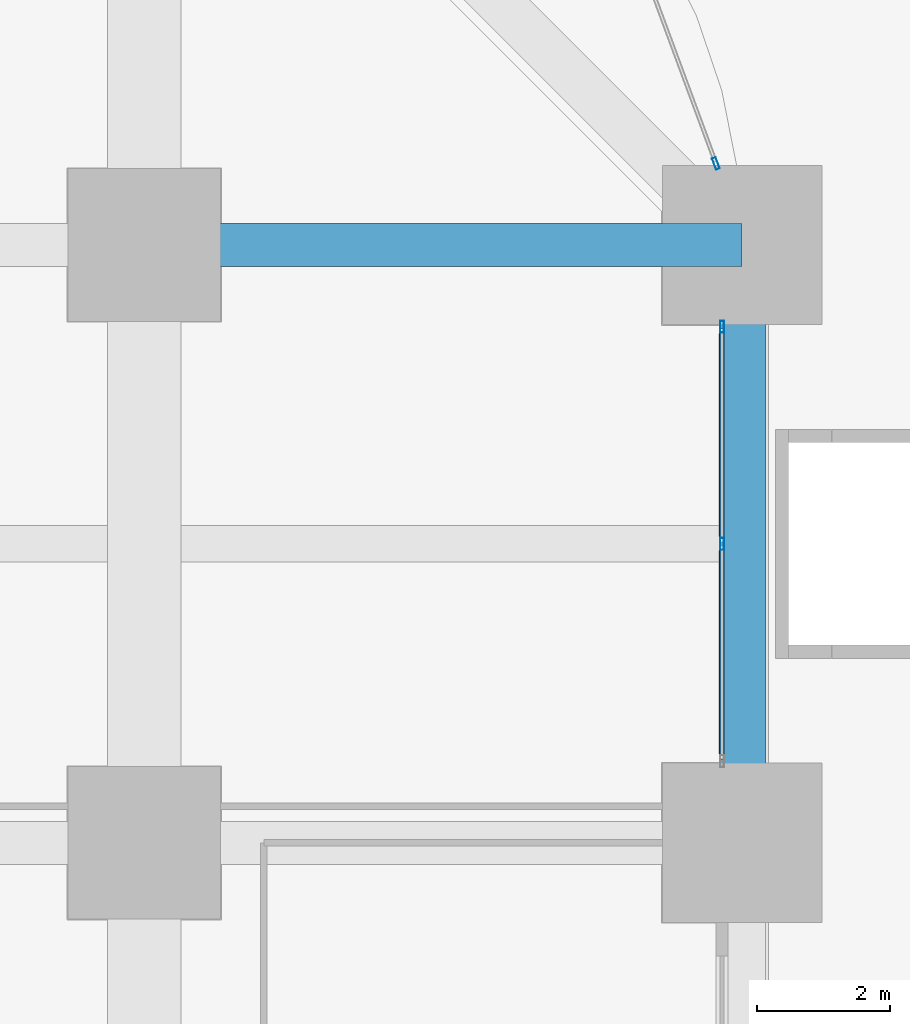
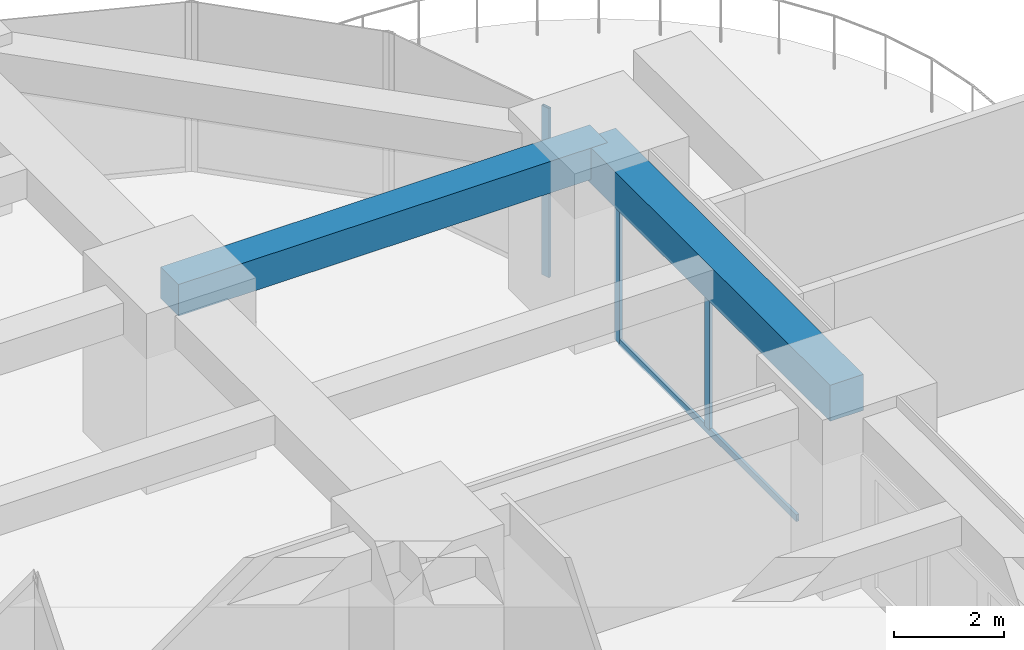
# One storey, part 28 of 38: 4 members, 2 beams, 2 elements without a shape of their own.
"""IFC4 building model written with IfcOpenShell, lengths in metres."""

from ifc_helpers import new_model, si_unit, direction, frame, origin, origin_2d, place, context, subcontext, project, spatial, rectangle, hollow_rectangle, extrude, material, material_profile, profile_set, type_object, element, aggregate, save


model = new_model("IFC4")

# Units and contexts
model_context = context("Model", 3, precision=1e-05, world=origin(), true_north=direction((0.0, 1.0)))
body_context = subcontext(model_context, "Body", "Model", "MODEL_VIEW")
ifc_project = project(units=[si_unit("LENGTHUNIT", "METRE"), si_unit("AREAUNIT", "SQUARE_METRE"), si_unit("VOLUMEUNIT", "CUBIC_METRE"), si_unit("PLANEANGLEUNIT", "RADIAN"), si_unit("MASSUNIT", "GRAM", prefix="KILO")], contexts=[model_context])

# Site, building, storey
site_placement = place(None, origin())
site = spatial("IfcSite", under=ifc_project, at=site_placement, CompositionType="ELEMENT")
building_placement = place(site_placement, origin())
building = spatial("IfcBuilding", under=site, at=building_placement, Name="Zorevar Civic Tower", CompositionType="ELEMENT")
storey_placement = place(building_placement, frame((0.0, 0.0, 15.800048828125)))
storey = spatial("IfcBuildingStorey", under=building, at=storey_placement, Name="L03", CompositionType="ELEMENT", Elevation=15.800048828125)

# Beam
ifc_material_1 = material(Name="Concrete C50/60", Category="concrete")
ifc_material_profile_1 = material_profile(ifc_material_1, rectangle(XDim=0.64990234375, YDim=0.699951171875, at=origin_2d()), Name="RC 650x700")
ifc_profile_set_1 = profile_set([ifc_material_profile_1], Name="Concrete C50/60")
beam_type_1 = type_object("IfcBeamType", Name="Beam RC 650x700", PredefinedType="BEAM", material=ifc_profile_set_1)
beam_1_placement = place(storey_placement, frame((54.0, 45.0, 3.39990234375), z_axis=(1.0, 0.0, 0.0), x_axis=(0.0, 1.0, 0.0)))
element("IfcBeam", 1, at=beam_1_placement, inside=storey, type_object=beam_type_1, Name="Girder L04", PredefinedType="BEAM", context=body_context, shape_type="SweptSolid", body=[
    extrude(rectangle(XDim=0.64990234375, YDim=0.699951171875, at=origin_2d()), origin(), (0.0, 0.0, 1.0), 9.0),
])

# Curtain wall, members
ifc_material_2 = material(Name="Dark grey solar-control glass in black aluminium frame", Category="aluminium")
curtain_wall_type = type_object("IfcCurtainWallType", Name="Curtain wall CW2 low zone", PredefinedType="NOTDEFINED", material=ifc_material_2)
curtain_wall_1_placement = place(storey_placement, origin())
curtain_wall_1 = element("IfcCurtainWall", 2, at=curtain_wall_1_placement, inside=storey, type_object=curtain_wall_type, Name="CW2 L03", PredefinedType="NOTDEFINED")
ifc_material_3 = material(Name="Aluminium, black anodised", Category="aluminium")
ifc_material_profile_2 = material_profile(ifc_material_3, hollow_rectangle(XDim=0.06005859375, YDim=0.179931640625, WallThickness=0.00390625, at=origin_2d()), Name="AL 180x60x4")
ifc_profile_set_2 = profile_set([ifc_material_profile_2], Name="Aluminium, black anodised")
member_type_1 = type_object("IfcMemberType", Name="CW2 mullion AL 180x60x4", PredefinedType="MULLION", material=ifc_profile_set_2)
member_1_placement = place(storey_placement, frame((62.699951171875, 40.5, 0.06005859375), z_axis=(0.0, 0.0, 1.0), x_axis=(-1.0, 0.0, 0.0)))
member_1 = element("IfcMember", 3, at=member_1_placement, type_object=member_type_1, Name="CW2 mullion 2", PredefinedType="MULLION", context=body_context, shape_type="SweptSolid", body=[
    extrude(hollow_rectangle(XDim=0.06005859375, YDim=0.179931640625, WallThickness=0.00390625, at=origin_2d()), origin(), (0.0, 0.0, 1.0), 2.889892578125),
])
member_2_placement = place(storey_placement, frame((62.699951171875, 43.77001953125, 0.0), z_axis=(0.0, 0.0, 1.0), x_axis=(-1.0, 0.0, 0.0)))
member_2 = element("IfcMember", 4, at=member_2_placement, type_object=member_type_1, Name="CW2 mullion 3", PredefinedType="MULLION", context=body_context, shape_type="SweptSolid", body=[
    extrude(hollow_rectangle(XDim=0.06005859375, YDim=0.179931640625, WallThickness=0.00390625, at=origin_2d()), origin(), (0.0, 0.0, 1.0), 2.949951171875),
])

# Curtain wall, member
curtain_wall_2_placement = place(storey_placement, origin())
curtain_wall_2 = element("IfcCurtainWall", 5, at=curtain_wall_2_placement, inside=storey, type_object=curtain_wall_type, Name="CW2 L03", PredefinedType="NOTDEFINED")
member_3_placement = place(storey_placement, frame((62.6064453125, 46.22802734375, 0.0), z_axis=(0.0, 0.0, 1.0), x_axis=(-0.937974588163, -0.346704012033, 0.0)))
member_3 = element("IfcMember", 6, at=member_3_placement, type_object=member_type_1, Name="CW2 mullion 1", PredefinedType="MULLION", context=body_context, shape_type="SweptSolid", body=[
    extrude(hollow_rectangle(XDim=0.06005859375, YDim=0.179931640625, WallThickness=0.00390625, at=origin_2d()), origin(), (0.0, 0.0, 1.0), 3.75),
])
aggregate(curtain_wall_2, [member_3])

# Member
ifc_material_4 = material(Name="Aluminium, black anodised", Category="aluminium")
ifc_material_profile_3 = material_profile(ifc_material_4, hollow_rectangle(XDim=0.06005859375, YDim=0.14990234375, WallThickness=0.00390625, at=origin_2d()), Name="AL 150x60x4")
ifc_profile_set_3 = profile_set([ifc_material_profile_3], Name="Aluminium, black anodised")
member_type_2 = type_object("IfcMemberType", Name="CW2 transom AL 150x60x4", PredefinedType="USERDEFINED", material=ifc_profile_set_3)
member_4_placement = place(storey_placement, frame((62.699951171875, 37.260009765625, 0.030029296875), z_axis=(0.0, 1.0, 0.0), x_axis=(-1.0, 0.0, 0.0)))
member_4 = element("IfcMember", 7, at=member_4_placement, type_object=member_type_2, Name="CW2 sill transom", ObjectType="TRANSOM", PredefinedType="USERDEFINED", context=body_context, shape_type="SweptSolid", body=[
    extrude(hollow_rectangle(XDim=0.06005859375, YDim=0.14990234375, WallThickness=0.00390625, at=origin_2d()), origin(), (0.0, 0.0, 1.0), 6.47998046875),
])

aggregate(curtain_wall_1, [member_1, member_2, member_4])

# Beam
ifc_material_5 = material(Name="Concrete C50/60", Category="concrete")
ifc_material_profile_4 = material_profile(ifc_material_5, rectangle(XDim=0.699951171875, YDim=0.800048828125, at=origin_2d()), Name="RC 700x800")
ifc_profile_set_4 = profile_set([ifc_material_profile_4], Name="Concrete C50/60")
beam_type_2 = type_object("IfcBeamType", Name="Edge beam RC 700x800", PredefinedType="SPANDREL", material=ifc_profile_set_4)
beam_2_placement = place(storey_placement, frame((63.0, 36.0, 3.349853515625), z_axis=(0.0, 1.0, 0.0), x_axis=(-1.0, 0.0, 0.0)))
element("IfcBeam", 8, at=beam_2_placement, inside=storey, type_object=beam_type_2, Name="Edge beam L04", PredefinedType="SPANDREL", context=body_context, shape_type="SweptSolid", body=[
    extrude(rectangle(XDim=0.699951171875, YDim=0.800048828125, at=origin_2d()), origin(), (0.0, 0.0, 1.0), 9.0),
])

save(model, "model.ifc")
